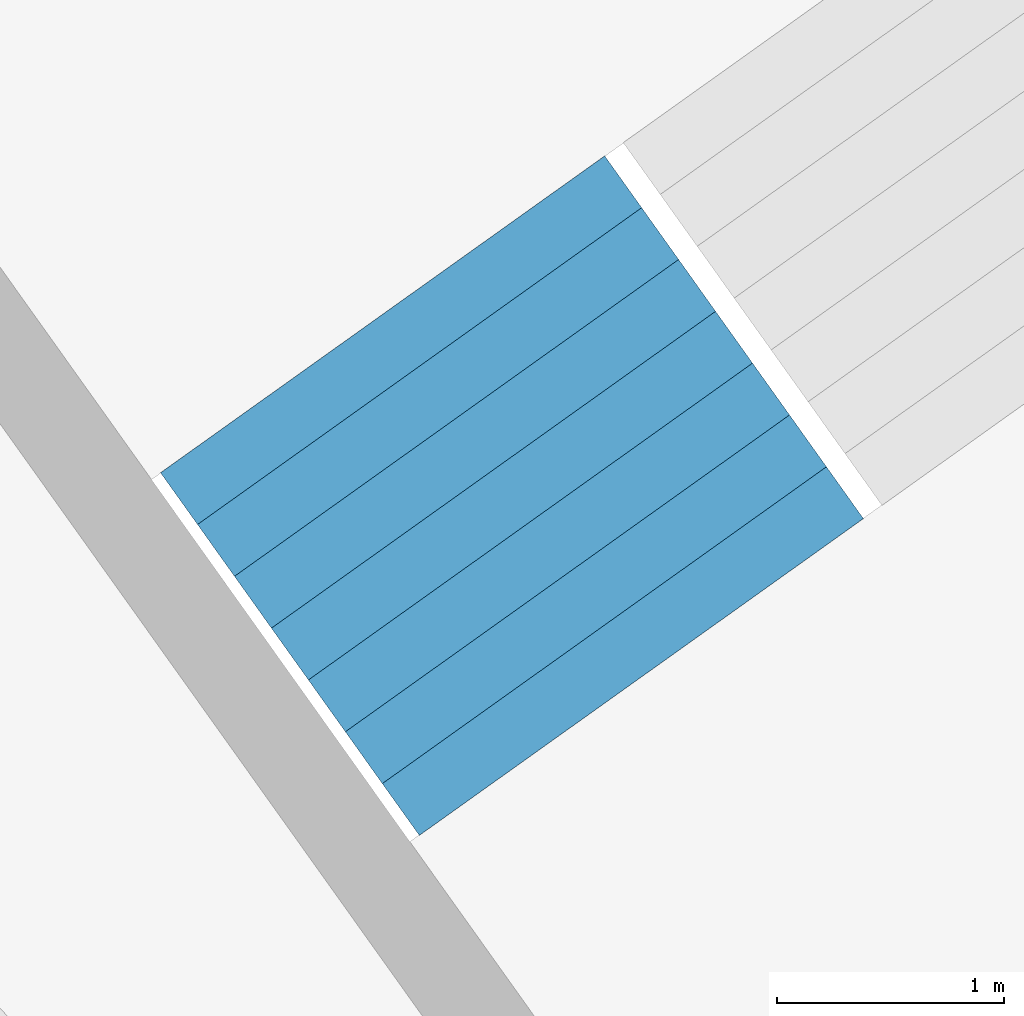
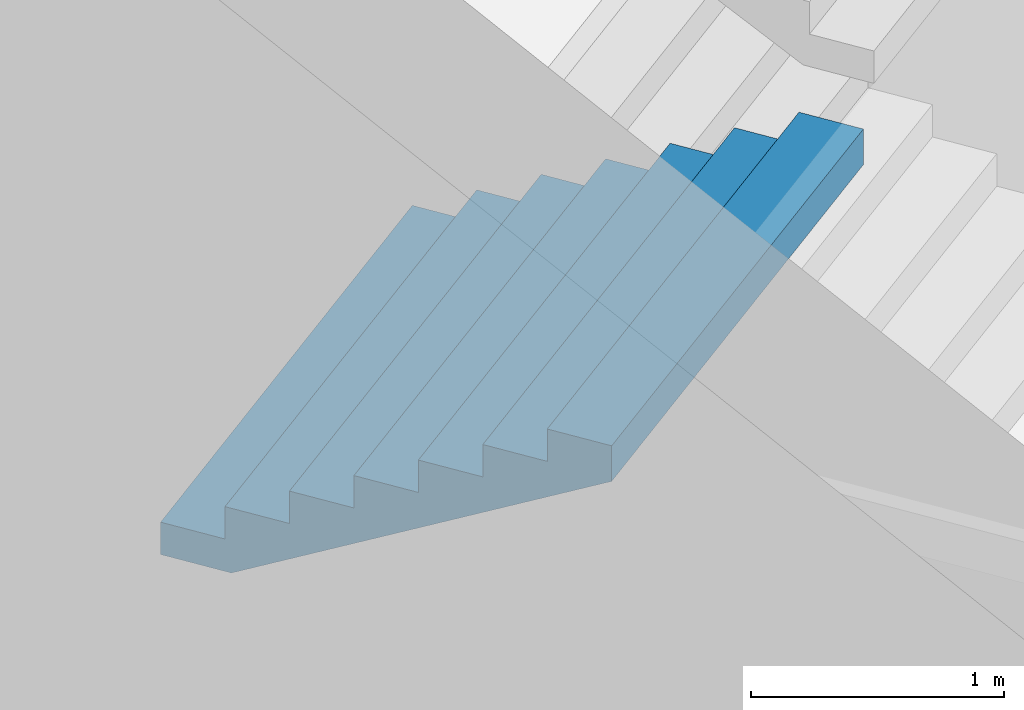
# One storey, part 41 of 73: 1 stair flight, 1 element without a shape of its own.
"""IFC4 building model written with IfcOpenShell, lengths in metres."""

from ifc_helpers import new_model, si_unit, direction, frame, origin, place, context, subcontext, project, spatial, triangles, material, type_object, element, aggregate, save


model = new_model("IFC4")

# Units and contexts
model_context = context("Model", 3, precision=1e-05, world=origin(), true_north=direction((0.0, 1.0)))
body_context = subcontext(model_context, "Body", "Model", "MODEL_VIEW")
ifc_project = project(units=[si_unit("LENGTHUNIT", "METRE"), si_unit("AREAUNIT", "SQUARE_METRE"), si_unit("VOLUMEUNIT", "CUBIC_METRE"), si_unit("PLANEANGLEUNIT", "RADIAN"), si_unit("MASSUNIT", "GRAM", prefix="KILO")], contexts=[model_context])

# Site, building, storey
site_placement = place(None, origin())
site = spatial("IfcSite", under=ifc_project, at=site_placement, CompositionType="ELEMENT")
building_placement = place(site_placement, origin())
building = spatial("IfcBuilding", under=site, at=building_placement, Name="Lantaw Convention Tower", CompositionType="ELEMENT")
storey_placement = place(building_placement, frame((0.0, 0.0, 27.0)))
storey = spatial("IfcBuildingStorey", under=building, at=storey_placement, Name="L04", CompositionType="ELEMENT", Elevation=27.0)

# Stair, stair flight
ifc_material = material(Name="Concrete C35/45", Category="concrete")
stair_type = type_object("IfcStairType", Name="Exit stair 2400 riser 156.25 in 4 flights", PredefinedType="HALF_TURN_STAIR", material=ifc_material)
stair_placement = place(storey_placement, origin())
stair = element("IfcStair", 1, at=stair_placement, inside=storey, type_object=stair_type, Name="Podium exit stair P6 L04", PredefinedType="HALF_TURN_STAIR")
stair_flight_type = type_object("IfcStairFlightType", Name="Stair flight 2400 riser 156.25", PredefinedType="STRAIGHT", material=ifc_material)
stair_flight_placement = place(storey_placement, frame((-20.143798828125, 26.087890625, 1.25), z_axis=(0.0, 0.0, 1.0), x_axis=(0.580702955711, -0.814115518356, 0.0)))
stair_flight = element("IfcStairFlight", 2, at=stair_flight_placement, type_object=stair_flight_type, Name="P6 flight 2", NumberOfRisers=8, NumberOfTreads=7, PredefinedType="STRAIGHT", RiserHeight=0.15625, TreadLength=0.28, context=body_context, shape_type="Tessellation", body=[
    triangles([(0.0, 1.199951171875, 0.0), (0.0, 1.199951171875, 0.15625), (0.28, 1.199951171875, 0.0), (0.28, 1.199951171875, 0.15625), (0.28, 1.199951171875, 0.3125), (0.3076200632058044, 1.199951171875, 0.0), (0.3076200632058044, 1.199951171875, 0.3125), (0.56, 1.199951171875, 0.14083701830033238), (0.56, 1.199951171875, 0.3125), (0.56, 1.199951171875, 0.46875), (0.8400000000000001, 1.199951171875, 0.29708701830033235), (0.8400000000000001, 1.199951171875, 0.46875), (0.8400000000000001, 1.199951171875, 0.625), (1.12, 1.199951171875, 0.45333701830033235), (1.12, 1.199951171875, 0.625), (1.12, 1.199951171875, 0.78125), (1.4000000000000001, 1.199951171875, 0.6095870183003324), (1.4000000000000001, 1.199951171875, 0.78125), (1.4000000000000001, 1.199951171875, 0.9375), (1.6800000000000002, 1.199951171875, 0.7658370183003324), (1.6800000000000002, 1.199951171875, 0.9375), (1.6800000000000002, 1.199951171875, 1.09375), (1.9600000000000002, 1.199951171875, 0.9220870183003324), (1.9600000000000002, 1.199951171875, 1.09375), (0.0, -1.199951171875, 0.0), (0.0, -1.199951171875, 0.15625), (0.28, -1.199951171875, 0.0), (0.28, -1.199951171875, 0.15625), (0.28, -1.199951171875, 0.3125), (0.3076200632058044, -1.199951171875, 0.0), (0.3076200632058044, -1.199951171875, 0.3125), (0.56, -1.199951171875, 0.14083701830033238), (0.56, -1.199951171875, 0.3125), (0.56, -1.199951171875, 0.46875), (0.8400000000000001, -1.199951171875, 0.29708701830033235), (0.8400000000000001, -1.199951171875, 0.46875), (0.8400000000000001, -1.199951171875, 0.625), (1.12, -1.199951171875, 0.45333701830033235), (1.12, -1.199951171875, 0.625), (1.12, -1.199951171875, 0.78125), (1.4000000000000001, -1.199951171875, 0.6095870183003324), (1.4000000000000001, -1.199951171875, 0.78125), (1.4000000000000001, -1.199951171875, 0.9375), (1.6800000000000002, -1.199951171875, 0.7658370183003324), (1.6800000000000002, -1.199951171875, 0.9375), (1.6800000000000002, -1.199951171875, 1.09375), (1.9600000000000002, -1.199951171875, 0.9220870183003324), (1.9600000000000002, -1.199951171875, 1.09375), (0.0, 0.239990234375, 0.15625), (0.0, 0.239990234375, 0.0), (0.0, 0.1919921875, 0.15625), (0.0, 0.1919921875, 0.0), (0.0, 0.143994140625, 0.15625), (0.0, 0.143994140625, 0.0), (0.0, 0.09599609375, 0.15625), (0.0, 0.09599609375, 0.0), (0.0, 0.047998046875, 0.15625), (0.0, 0.047998046875, 0.0), (0.0, 0.0, 0.15625), (0.0, 0.0, 0.0), (0.0, -0.047998046875, 0.15625), (0.0, -0.047998046875, 0.0), (0.0, -0.09599609375, 0.15625), (0.0, -0.09599609375, 0.0), (0.0, -0.143994140625, 0.15625), (0.0, -0.143994140625, 0.0), (0.0, -0.1919921875, 0.15625), (0.0, -0.1919921875, 0.0), (0.0, -0.239990234375, 0.15625), (0.0, -0.239990234375, 0.0), (0.28, 0.239990234375, 0.3125), (0.28, 0.239990234375, 0.15625), (0.28, 0.1919921875, 0.3125), (0.28, 0.1919921875, 0.15625), (0.28, 0.143994140625, 0.3125), (0.28, 0.143994140625, 0.15625), (0.28, 0.09599609375, 0.3125), (0.28, 0.09599609375, 0.15625), (0.28, 0.047998046875, 0.3125), (0.28, 0.047998046875, 0.15625), (0.28, 0.0, 0.3125), (0.28, 0.0, 0.15625), (0.28, -0.047998046875, 0.3125), (0.28, -0.047998046875, 0.15625), (0.28, -0.09599609375, 0.3125), (0.28, -0.09599609375, 0.15625), (0.28, -0.143994140625, 0.3125), (0.28, -0.143994140625, 0.15625), (0.28, -0.1919921875, 0.3125), (0.28, -0.1919921875, 0.15625), (0.28, -0.239990234375, 0.3125), (0.28, -0.239990234375, 0.15625), (0.56, 0.239990234375, 0.46875), (0.56, 0.239990234375, 0.3125), (0.56, 0.1919921875, 0.46875), (0.56, 0.1919921875, 0.3125), (0.56, 0.143994140625, 0.46875), (0.56, 0.143994140625, 0.3125), (0.56, 0.09599609375, 0.46875), (0.56, 0.09599609375, 0.3125), (0.56, 0.047998046875, 0.46875), (0.56, 0.047998046875, 0.3125), (0.56, 0.0, 0.46875), (0.56, 0.0, 0.3125), (0.56, -0.047998046875, 0.46875), (0.56, -0.047998046875, 0.3125), (0.56, -0.09599609375, 0.46875), (0.56, -0.09599609375, 0.3125), (0.56, -0.143994140625, 0.46875), (0.56, -0.143994140625, 0.3125), (0.56, -0.1919921875, 0.46875), (0.56, -0.1919921875, 0.3125), (0.56, -0.239990234375, 0.46875), (0.56, -0.239990234375, 0.3125), (0.8400000000000001, 0.239990234375, 0.625), (0.8400000000000001, 0.239990234375, 0.46875), (0.8400000000000001, 0.1919921875, 0.625), (0.8400000000000001, 0.1919921875, 0.46875), (0.8400000000000001, 0.143994140625, 0.625), (0.8400000000000001, 0.143994140625, 0.46875), (0.8400000000000001, 0.09599609375, 0.625), (0.8400000000000001, 0.09599609375, 0.46875), (0.8400000000000001, 0.047998046875, 0.625), (0.8400000000000001, 0.047998046875, 0.46875), (0.8400000000000001, 0.0, 0.625), (0.8400000000000001, 0.0, 0.46875), (0.8400000000000001, -0.047998046875, 0.625), (0.8400000000000001, -0.047998046875, 0.46875), (0.8400000000000001, -0.09599609375, 0.625), (0.8400000000000001, -0.09599609375, 0.46875), (0.8400000000000001, -0.143994140625, 0.625), (0.8400000000000001, -0.143994140625, 0.46875), (0.8400000000000001, -0.1919921875, 0.625), (0.8400000000000001, -0.1919921875, 0.46875), (0.8400000000000001, -0.239990234375, 0.625), (0.8400000000000001, -0.239990234375, 0.46875), (1.12, 0.239990234375, 0.78125), (1.12, 0.239990234375, 0.625), (1.12, 0.1919921875, 0.78125), (1.12, 0.1919921875, 0.625), (1.12, 0.143994140625, 0.78125), (1.12, 0.143994140625, 0.625), (1.12, 0.09599609375, 0.78125), (1.12, 0.09599609375, 0.625), (1.12, 0.047998046875, 0.78125), (1.12, 0.047998046875, 0.625), (1.12, 0.0, 0.78125), (1.12, 0.0, 0.625), (1.12, -0.047998046875, 0.78125), (1.12, -0.047998046875, 0.625), (1.12, -0.09599609375, 0.78125), (1.12, -0.09599609375, 0.625), (1.12, -0.143994140625, 0.78125), (1.12, -0.143994140625, 0.625), (1.12, -0.1919921875, 0.78125), (1.12, -0.1919921875, 0.625), (1.12, -0.239990234375, 0.78125), (1.12, -0.239990234375, 0.625), (1.4000000000000001, 0.239990234375, 0.9375), (1.4000000000000001, 0.239990234375, 0.78125), (1.4000000000000001, 0.1919921875, 0.9375), (1.4000000000000001, 0.1919921875, 0.78125), (1.4000000000000001, 0.143994140625, 0.9375), (1.4000000000000001, 0.143994140625, 0.78125), (1.4000000000000001, 0.09599609375, 0.9375), (1.4000000000000001, 0.09599609375, 0.78125), (1.4000000000000001, 0.047998046875, 0.9375), (1.4000000000000001, 0.047998046875, 0.78125), (1.4000000000000001, 0.0, 0.9375), (1.4000000000000001, 0.0, 0.78125), (1.4000000000000001, -0.047998046875, 0.9375), (1.4000000000000001, -0.047998046875, 0.78125), (1.4000000000000001, -0.09599609375, 0.9375), (1.4000000000000001, -0.09599609375, 0.78125), (1.4000000000000001, -0.143994140625, 0.9375), (1.4000000000000001, -0.143994140625, 0.78125), (1.4000000000000001, -0.1919921875, 0.9375), (1.4000000000000001, -0.1919921875, 0.78125), (1.4000000000000001, -0.239990234375, 0.9375), (1.4000000000000001, -0.239990234375, 0.78125), (1.6800000000000002, 0.239990234375, 1.09375), (1.6800000000000002, 0.239990234375, 0.9375), (1.6800000000000002, 0.1919921875, 1.09375), (1.6800000000000002, 0.1919921875, 0.9375), (1.6800000000000002, 0.143994140625, 1.09375), (1.6800000000000002, 0.143994140625, 0.9375), (1.6800000000000002, 0.09599609375, 1.09375), (1.6800000000000002, 0.09599609375, 0.9375), (1.6800000000000002, 0.047998046875, 1.09375), (1.6800000000000002, 0.047998046875, 0.9375), (1.6800000000000002, 0.0, 1.09375), (1.6800000000000002, 0.0, 0.9375), (1.6800000000000002, -0.047998046875, 1.09375), (1.6800000000000002, -0.047998046875, 0.9375), (1.6800000000000002, -0.09599609375, 1.09375), (1.6800000000000002, -0.09599609375, 0.9375), (1.6800000000000002, -0.143994140625, 1.09375), (1.6800000000000002, -0.143994140625, 0.9375), (1.6800000000000002, -0.1919921875, 1.09375), (1.6800000000000002, -0.1919921875, 0.9375), (1.6800000000000002, -0.239990234375, 1.09375), (1.6800000000000002, -0.239990234375, 0.9375), (0.3076200632058044, 0.239990234375, 0.3125), (0.3076200632058044, 0.1919921875, 0.3125), (0.3076200632058044, 0.143994140625, 0.3125), (0.3076200632058044, 0.09599609375, 0.3125), (0.3076200632058044, 0.047998046875, 0.3125), (0.3076200632058044, 0.0, 0.3125), (0.3076200632058044, -0.047998046875, 0.3125), (0.3076200632058044, -0.09599609375, 0.3125), (0.3076200632058044, -0.143994140625, 0.3125), (0.3076200632058044, -0.1919921875, 0.3125), (0.3076200632058044, -0.239990234375, 0.3125), (1.9600000000000002, 0.239990234375, 1.09375), (1.9600000000000002, 0.1919921875, 1.09375), (1.9600000000000002, 0.143994140625, 1.09375), (1.9600000000000002, 0.09599609375, 1.09375), (1.9600000000000002, 0.047998046875, 1.09375), (1.9600000000000002, 0.0, 1.09375), (1.9600000000000002, -0.047998046875, 1.09375), (1.9600000000000002, -0.09599609375, 1.09375), (1.9600000000000002, -0.143994140625, 1.09375), (1.9600000000000002, -0.1919921875, 1.09375), (1.9600000000000002, -0.239990234375, 1.09375), (1.9600000000000002, 0.239990234375, 0.9220870183003324), (1.9600000000000002, 0.1919921875, 0.9220870183003324), (1.9600000000000002, 0.143994140625, 0.9220870183003324), (1.9600000000000002, 0.09599609375, 0.9220870183003324), (1.9600000000000002, 0.047998046875, 0.9220870183003324), (1.9600000000000002, 0.0, 0.9220870183003324), (1.9600000000000002, -0.047998046875, 0.9220870183003324), (1.9600000000000002, -0.09599609375, 0.9220870183003324), (1.9600000000000002, -0.143994140625, 0.9220870183003324), (1.9600000000000002, -0.1919921875, 0.9220870183003324), (1.9600000000000002, -0.239990234375, 0.9220870183003324), (1.6800000000000002, 0.239990234375, 0.7658370183003324), (1.6800000000000002, 0.1919921875, 0.7658370183003324), (1.6800000000000002, 0.143994140625, 0.7658370183003324), (1.6800000000000002, 0.09599609375, 0.7658370183003324), (1.6800000000000002, 0.047998046875, 0.7658370183003324), (1.6800000000000002, 0.0, 0.7658370183003324), (1.6800000000000002, -0.047998046875, 0.7658370183003324), (1.6800000000000002, -0.09599609375, 0.7658370183003324), (1.6800000000000002, -0.143994140625, 0.7658370183003324), (1.6800000000000002, -0.1919921875, 0.7658370183003324), (1.6800000000000002, -0.239990234375, 0.7658370183003324), (1.4000000000000001, 0.239990234375, 0.6095870183003324), (1.4000000000000001, 0.1919921875, 0.6095870183003324), (1.4000000000000001, 0.143994140625, 0.6095870183003324), (1.4000000000000001, 0.09599609375, 0.6095870183003324), (1.4000000000000001, 0.047998046875, 0.6095870183003324), (1.4000000000000001, 0.0, 0.6095870183003324), (1.4000000000000001, -0.047998046875, 0.6095870183003324), (1.4000000000000001, -0.09599609375, 0.6095870183003324), (1.4000000000000001, -0.143994140625, 0.6095870183003324), (1.4000000000000001, -0.1919921875, 0.6095870183003324), (1.4000000000000001, -0.239990234375, 0.6095870183003324), (1.12, 0.239990234375, 0.45333701830033235), (1.12, 0.1919921875, 0.45333701830033235), (1.12, 0.143994140625, 0.45333701830033235), (1.12, 0.09599609375, 0.45333701830033235), (1.12, 0.047998046875, 0.45333701830033235), (1.12, 0.0, 0.45333701830033235), (1.12, -0.047998046875, 0.45333701830033235), (1.12, -0.09599609375, 0.45333701830033235), (1.12, -0.143994140625, 0.45333701830033235), (1.12, -0.1919921875, 0.45333701830033235), (1.12, -0.239990234375, 0.45333701830033235), (0.8400000000000001, 0.239990234375, 0.29708701830033235), (0.8400000000000001, 0.1919921875, 0.29708701830033235), (0.8400000000000001, 0.143994140625, 0.29708701830033235), (0.8400000000000001, 0.09599609375, 0.29708701830033235), (0.8400000000000001, 0.047998046875, 0.29708701830033235), (0.8400000000000001, 0.0, 0.29708701830033235), (0.8400000000000001, -0.047998046875, 0.29708701830033235), (0.8400000000000001, -0.09599609375, 0.29708701830033235), (0.8400000000000001, -0.143994140625, 0.29708701830033235), (0.8400000000000001, -0.1919921875, 0.29708701830033235), (0.8400000000000001, -0.239990234375, 0.29708701830033235), (0.56, 0.239990234375, 0.14083701830033238), (0.56, 0.1919921875, 0.14083701830033238), (0.56, 0.143994140625, 0.14083701830033238), (0.56, 0.09599609375, 0.14083701830033238), (0.56, 0.047998046875, 0.14083701830033238), (0.56, 0.0, 0.14083701830033238), (0.56, -0.047998046875, 0.14083701830033238), (0.56, -0.09599609375, 0.14083701830033238), (0.56, -0.143994140625, 0.14083701830033238), (0.56, -0.1919921875, 0.14083701830033238), (0.56, -0.239990234375, 0.14083701830033238), (0.3076200632058044, 0.239990234375, 0.0), (0.3076200632058044, 0.1919921875, 0.0), (0.3076200632058044, 0.143994140625, 0.0), (0.3076200632058044, 0.09599609375, 0.0), (0.3076200632058044, 0.047998046875, 0.0), (0.3076200632058044, 0.0, 0.0), (0.3076200632058044, -0.047998046875, 0.0), (0.3076200632058044, -0.09599609375, 0.0), (0.3076200632058044, -0.143994140625, 0.0), (0.3076200632058044, -0.1919921875, 0.0), (0.3076200632058044, -0.239990234375, 0.0), (0.28, 0.239990234375, 0.0), (0.28, 0.1919921875, 0.0), (0.28, 0.143994140625, 0.0), (0.28, 0.09599609375, 0.0), (0.28, 0.047998046875, 0.0), (0.28, 0.0, 0.0), (0.28, -0.047998046875, 0.0), (0.28, -0.09599609375, 0.0), (0.28, -0.143994140625, 0.0), (0.28, -0.1919921875, 0.0), (0.28, -0.239990234375, 0.0)], [[1, 4, 3], [1, 2, 4], [3, 4, 6], [4, 7, 6], [4, 5, 7], [6, 9, 8], [6, 7, 9], [8, 9, 11], [9, 12, 11], [9, 10, 12], [11, 12, 14], [12, 15, 14], [12, 13, 15], [14, 15, 17], [15, 18, 17], [15, 16, 18], [17, 18, 20], [18, 21, 20], [18, 19, 21], [20, 21, 23], [21, 24, 23], [21, 22, 24], [25, 27, 28], [25, 28, 26], [27, 30, 28], [28, 30, 31], [28, 31, 29], [30, 32, 33], [30, 33, 31], [32, 35, 33], [33, 35, 36], [33, 36, 34], [35, 38, 36], [36, 38, 39], [36, 39, 37], [38, 41, 39], [39, 41, 42], [39, 42, 40], [41, 44, 42], [42, 44, 45], [42, 45, 43], [44, 47, 45], [45, 47, 48], [45, 48, 46], [1, 49, 2], [1, 50, 49], [50, 51, 49], [50, 52, 51], [52, 53, 51], [52, 54, 53], [54, 55, 53], [54, 56, 55], [56, 57, 55], [56, 58, 57], [58, 59, 57], [58, 60, 59], [60, 61, 59], [60, 62, 61], [62, 63, 61], [62, 64, 63], [64, 65, 63], [64, 66, 65], [66, 67, 65], [66, 68, 67], [68, 69, 67], [68, 70, 69], [70, 26, 69], [70, 25, 26], [4, 71, 5], [4, 72, 71], [72, 73, 71], [72, 74, 73], [74, 75, 73], [74, 76, 75], [76, 77, 75], [76, 78, 77], [78, 79, 77], [78, 80, 79], [80, 81, 79], [80, 82, 81], [82, 83, 81], [82, 84, 83], [84, 85, 83], [84, 86, 85], [86, 87, 85], [86, 88, 87], [88, 89, 87], [88, 90, 89], [90, 91, 89], [90, 92, 91], [92, 29, 91], [92, 28, 29], [9, 93, 10], [9, 94, 93], [94, 95, 93], [94, 96, 95], [96, 97, 95], [96, 98, 97], [98, 99, 97], [98, 100, 99], [100, 101, 99], [100, 102, 101], [102, 103, 101], [102, 104, 103], [104, 105, 103], [104, 106, 105], [106, 107, 105], [106, 108, 107], [108, 109, 107], [108, 110, 109], [110, 111, 109], [110, 112, 111], [112, 113, 111], [112, 114, 113], [114, 34, 113], [114, 33, 34], [12, 115, 13], [12, 116, 115], [116, 117, 115], [116, 118, 117], [118, 119, 117], [118, 120, 119], [120, 121, 119], [120, 122, 121], [122, 123, 121], [122, 124, 123], [124, 125, 123], [124, 126, 125], [126, 127, 125], [126, 128, 127], [128, 129, 127], [128, 130, 129], [130, 131, 129], [130, 132, 131], [132, 133, 131], [132, 134, 133], [134, 135, 133], [134, 136, 135], [136, 37, 135], [136, 36, 37], [15, 137, 16], [15, 138, 137], [138, 139, 137], [138, 140, 139], [140, 141, 139], [140, 142, 141], [142, 143, 141], [142, 144, 143], [144, 145, 143], [144, 146, 145], [146, 147, 145], [146, 148, 147], [148, 149, 147], [148, 150, 149], [150, 151, 149], [150, 152, 151], [152, 153, 151], [152, 154, 153], [154, 155, 153], [154, 156, 155], [156, 157, 155], [156, 158, 157], [158, 40, 157], [158, 39, 40], [18, 159, 19], [18, 160, 159], [160, 161, 159], [160, 162, 161], [162, 163, 161], [162, 164, 163], [164, 165, 163], [164, 166, 165], [166, 167, 165], [166, 168, 167], [168, 169, 167], [168, 170, 169], [170, 171, 169], [170, 172, 171], [172, 173, 171], [172, 174, 173], [174, 175, 173], [174, 176, 175], [176, 177, 175], [176, 178, 177], [178, 179, 177], [178, 180, 179], [180, 43, 179], [180, 42, 43], [21, 181, 22], [21, 182, 181], [182, 183, 181], [182, 184, 183], [184, 185, 183], [184, 186, 185], [186, 187, 185], [186, 188, 187], [188, 189, 187], [188, 190, 189], [190, 191, 189], [190, 192, 191], [192, 193, 191], [192, 194, 193], [194, 195, 193], [194, 196, 195], [196, 197, 195], [196, 198, 197], [198, 199, 197], [198, 200, 199], [200, 201, 199], [200, 202, 201], [202, 46, 201], [202, 45, 46], [2, 72, 4], [2, 49, 72], [49, 74, 72], [49, 51, 74], [51, 76, 74], [51, 53, 76], [53, 78, 76], [53, 55, 78], [55, 80, 78], [55, 57, 80], [57, 82, 80], [57, 59, 82], [59, 84, 82], [59, 61, 84], [61, 86, 84], [61, 63, 86], [63, 88, 86], [63, 65, 88], [65, 90, 88], [65, 67, 90], [67, 92, 90], [67, 69, 92], [69, 28, 92], [69, 26, 28], [5, 203, 7], [5, 71, 203], [71, 204, 203], [71, 73, 204], [73, 205, 204], [73, 75, 205], [75, 206, 205], [75, 77, 206], [77, 207, 206], [77, 79, 207], [79, 208, 207], [79, 81, 208], [81, 209, 208], [81, 83, 209], [83, 210, 209], [83, 85, 210], [85, 211, 210], [85, 87, 211], [87, 212, 211], [87, 89, 212], [89, 213, 212], [89, 91, 213], [91, 31, 213], [91, 29, 31], [7, 94, 9], [7, 203, 94], [203, 96, 94], [203, 204, 96], [204, 98, 96], [204, 205, 98], [205, 100, 98], [205, 206, 100], [206, 102, 100], [206, 207, 102], [207, 104, 102], [207, 208, 104], [208, 106, 104], [208, 209, 106], [209, 108, 106], [209, 210, 108], [210, 110, 108], [210, 211, 110], [211, 112, 110], [211, 212, 112], [212, 114, 112], [212, 213, 114], [213, 33, 114], [213, 31, 33], [10, 116, 12], [10, 93, 116], [93, 118, 116], [93, 95, 118], [95, 120, 118], [95, 97, 120], [97, 122, 120], [97, 99, 122], [99, 124, 122], [99, 101, 124], [101, 126, 124], [101, 103, 126], [103, 128, 126], [103, 105, 128], [105, 130, 128], [105, 107, 130], [107, 132, 130], [107, 109, 132], [109, 134, 132], [109, 111, 134], [111, 136, 134], [111, 113, 136], [113, 36, 136], [113, 34, 36], [13, 138, 15], [13, 115, 138], [115, 140, 138], [115, 117, 140], [117, 142, 140], [117, 119, 142], [119, 144, 142], [119, 121, 144], [121, 146, 144], [121, 123, 146], [123, 148, 146], [123, 125, 148], [125, 150, 148], [125, 127, 150], [127, 152, 150], [127, 129, 152], [129, 154, 152], [129, 131, 154], [131, 156, 154], [131, 133, 156], [133, 158, 156], [133, 135, 158], [135, 39, 158], [135, 37, 39], [16, 160, 18], [16, 137, 160], [137, 162, 160], [137, 139, 162], [139, 164, 162], [139, 141, 164], [141, 166, 164], [141, 143, 166], [143, 168, 166], [143, 145, 168], [145, 170, 168], [145, 147, 170], [147, 172, 170], [147, 149, 172], [149, 174, 172], [149, 151, 174], [151, 176, 174], [151, 153, 176], [153, 178, 176], [153, 155, 178], [155, 180, 178], [155, 157, 180], [157, 42, 180], [157, 40, 42], [19, 182, 21], [19, 159, 182], [159, 184, 182], [159, 161, 184], [161, 186, 184], [161, 163, 186], [163, 188, 186], [163, 165, 188], [165, 190, 188], [165, 167, 190], [167, 192, 190], [167, 169, 192], [169, 194, 192], [169, 171, 194], [171, 196, 194], [171, 173, 196], [173, 198, 196], [173, 175, 198], [175, 200, 198], [175, 177, 200], [177, 202, 200], [177, 179, 202], [179, 45, 202], [179, 43, 45], [22, 214, 24], [22, 181, 214], [181, 215, 214], [181, 183, 215], [183, 216, 215], [183, 185, 216], [185, 217, 216], [185, 187, 217], [187, 218, 217], [187, 189, 218], [189, 219, 218], [189, 191, 219], [191, 220, 219], [191, 193, 220], [193, 221, 220], [193, 195, 221], [195, 222, 221], [195, 197, 222], [197, 223, 222], [197, 199, 223], [199, 224, 223], [199, 201, 224], [201, 48, 224], [201, 46, 48], [24, 225, 23], [24, 214, 225], [214, 226, 225], [214, 215, 226], [215, 227, 226], [215, 216, 227], [216, 228, 227], [216, 217, 228], [217, 229, 228], [217, 218, 229], [218, 230, 229], [218, 219, 230], [219, 231, 230], [219, 220, 231], [220, 232, 231], [220, 221, 232], [221, 233, 232], [221, 222, 233], [222, 234, 233], [222, 223, 234], [223, 235, 234], [223, 224, 235], [224, 47, 235], [224, 48, 47], [23, 236, 20], [23, 225, 236], [225, 237, 236], [225, 226, 237], [226, 238, 237], [226, 227, 238], [227, 239, 238], [227, 228, 239], [228, 240, 239], [228, 229, 240], [229, 241, 240], [229, 230, 241], [230, 242, 241], [230, 231, 242], [231, 243, 242], [231, 232, 243], [232, 244, 243], [232, 233, 244], [233, 245, 244], [233, 234, 245], [234, 246, 245], [234, 235, 246], [235, 44, 246], [235, 47, 44], [20, 247, 17], [20, 236, 247], [236, 248, 247], [236, 237, 248], [237, 249, 248], [237, 238, 249], [238, 250, 249], [238, 239, 250], [239, 251, 250], [239, 240, 251], [240, 252, 251], [240, 241, 252], [241, 253, 252], [241, 242, 253], [242, 254, 253], [242, 243, 254], [243, 255, 254], [243, 244, 255], [244, 256, 255], [244, 245, 256], [245, 257, 256], [245, 246, 257], [246, 41, 257], [246, 44, 41], [17, 258, 14], [17, 247, 258], [247, 259, 258], [247, 248, 259], [248, 260, 259], [248, 249, 260], [249, 261, 260], [249, 250, 261], [250, 262, 261], [250, 251, 262], [251, 263, 262], [251, 252, 263], [252, 264, 263], [252, 253, 264], [253, 265, 264], [253, 254, 265], [254, 266, 265], [254, 255, 266], [255, 267, 266], [255, 256, 267], [256, 268, 267], [256, 257, 268], [257, 38, 268], [257, 41, 38], [14, 269, 11], [14, 258, 269], [258, 270, 269], [258, 259, 270], [259, 271, 270], [259, 260, 271], [260, 272, 271], [260, 261, 272], [261, 273, 272], [261, 262, 273], [262, 274, 273], [262, 263, 274], [263, 275, 274], [263, 264, 275], [264, 276, 275], [264, 265, 276], [265, 277, 276], [265, 266, 277], [266, 278, 277], [266, 267, 278], [267, 279, 278], [267, 268, 279], [268, 35, 279], [268, 38, 35], [11, 280, 8], [11, 269, 280], [269, 281, 280], [269, 270, 281], [270, 282, 281], [270, 271, 282], [271, 283, 282], [271, 272, 283], [272, 284, 283], [272, 273, 284], [273, 285, 284], [273, 274, 285], [274, 286, 285], [274, 275, 286], [275, 287, 286], [275, 276, 287], [276, 288, 287], [276, 277, 288], [277, 289, 288], [277, 278, 289], [278, 290, 289], [278, 279, 290], [279, 32, 290], [279, 35, 32], [8, 291, 6], [8, 280, 291], [280, 292, 291], [280, 281, 292], [281, 293, 292], [281, 282, 293], [282, 294, 293], [282, 283, 294], [283, 295, 294], [283, 284, 295], [284, 296, 295], [284, 285, 296], [285, 297, 296], [285, 286, 297], [286, 298, 297], [286, 287, 298], [287, 299, 298], [287, 288, 299], [288, 300, 299], [288, 289, 300], [289, 301, 300], [289, 290, 301], [290, 30, 301], [290, 32, 30], [6, 302, 3], [6, 291, 302], [291, 303, 302], [291, 292, 303], [292, 304, 303], [292, 293, 304], [293, 305, 304], [293, 294, 305], [294, 306, 305], [294, 295, 306], [295, 307, 306], [295, 296, 307], [296, 308, 307], [296, 297, 308], [297, 309, 308], [297, 298, 309], [298, 310, 309], [298, 299, 310], [299, 311, 310], [299, 300, 311], [300, 312, 311], [300, 301, 312], [301, 27, 312], [301, 30, 27], [3, 50, 1], [3, 302, 50], [302, 52, 50], [302, 303, 52], [303, 54, 52], [303, 304, 54], [304, 56, 54], [304, 305, 56], [305, 58, 56], [305, 306, 58], [306, 60, 58], [306, 307, 60], [307, 62, 60], [307, 308, 62], [308, 64, 62], [308, 309, 64], [309, 66, 64], [309, 310, 66], [310, 68, 66], [310, 311, 68], [311, 70, 68], [311, 312, 70], [312, 25, 70], [312, 27, 25]], closed=True),
])
aggregate(stair, [stair_flight])

save(model, "model.ifc")
